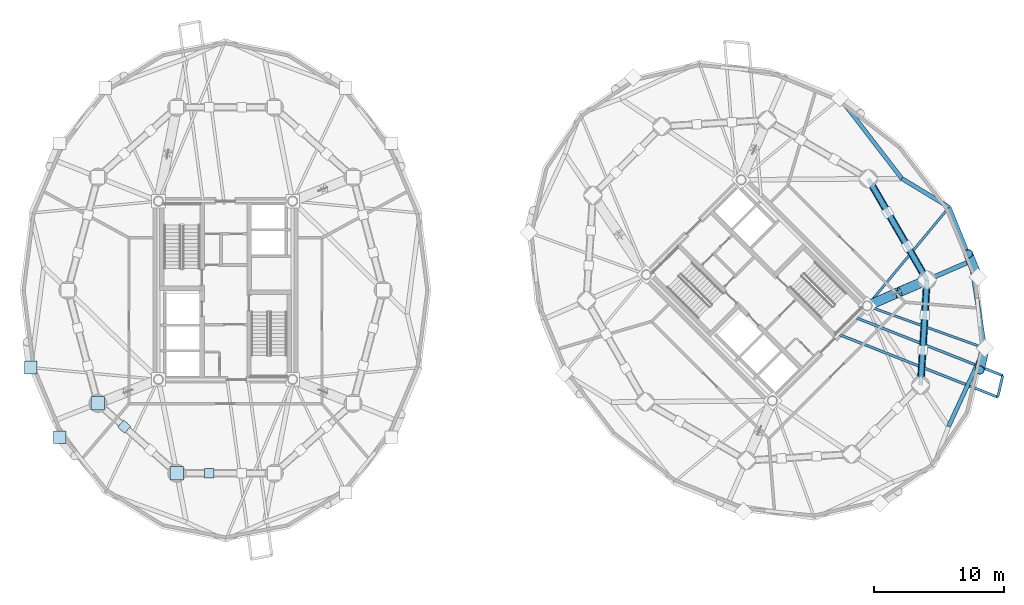
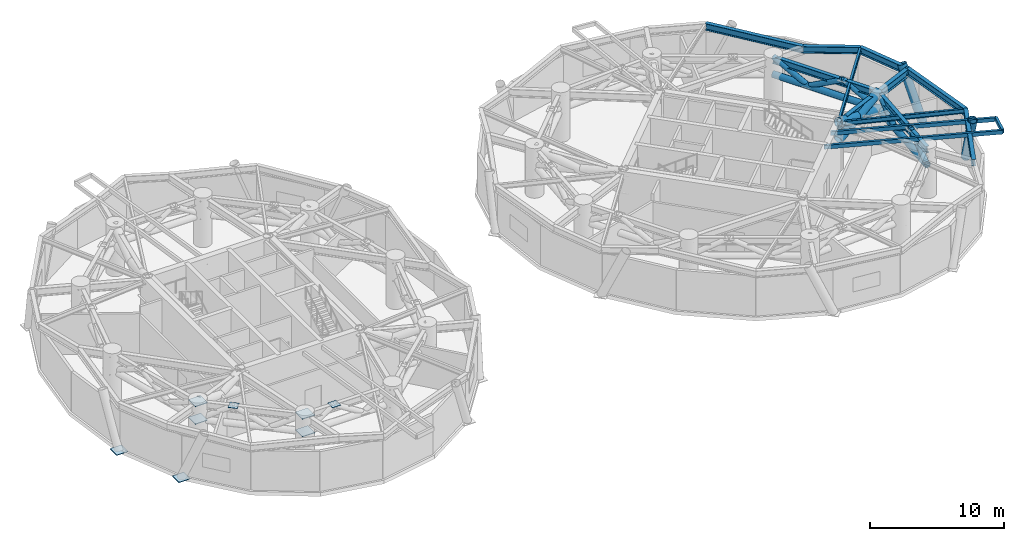
# One storey, part 5 of 16: 13 beams, 13 members, 8 plates.
"""IFC4 building model written with IfcOpenShell, lengths in metres."""

from ifc_helpers import new_model, si_unit, direction, frame, origin, origin_2d, place, context, subcontext, project, spatial, rectangle, hollow_rectangle, hollow_circle, i_section, extrude, source, transform, mapped, material, layer, layer_set, material_profile, profile_set, type_object, element, save


model = new_model("IFC4")

# Units and contexts
model_context = context("Model", 3, precision=1e-05, world=origin(), true_north=direction((0.0, 1.0)))
body_context = subcontext(model_context, "Body", "Model", "MODEL_VIEW")
ifc_project = project(units=[si_unit("LENGTHUNIT", "METRE"), si_unit("AREAUNIT", "SQUARE_METRE"), si_unit("VOLUMEUNIT", "CUBIC_METRE"), si_unit("PLANEANGLEUNIT", "RADIAN"), si_unit("MASSUNIT", "GRAM", prefix="KILO")], contexts=[model_context])

# Site, building, storey
site_placement = place(None, origin())
site = spatial("IfcSite", under=ifc_project, at=site_placement, CompositionType="ELEMENT")
building_placement = place(site_placement, origin())
building = spatial("IfcBuilding", under=site, at=building_placement, Name="Cununo Teusaquillo Station Towers", CompositionType="ELEMENT")
storey_placement = place(building_placement, frame((0.0, 0.0, 65.64990234375)))
storey = spatial("IfcBuildingStorey", under=building, at=storey_placement, Name="L20", CompositionType="ELEMENT", Elevation=65.64990234375)

# Beams
ifc_material_1 = material(Name="Steel EN 10025-2 S355J2", Category="steel")
ifc_material_profile_1 = material_profile(ifc_material_1, hollow_rectangle(XDim=0.199951171875, YDim=0.35009765625, WallThickness=0.013916015625, at=origin_2d()), Name="RHS 350x200x14")
ifc_profile_set_1 = profile_set([ifc_material_profile_1], Name="Steel EN 10025-2 S355J2")
beam_type_1 = type_object("IfcBeamType", Name="BM-BAL-CANT", PredefinedType="BEAM", material=ifc_profile_set_1)
beam_1_placement = place(storey_placement, frame((63.593505859375, 21.188720703125, 4.085205078125), z_axis=(0.930217566196, -0.367008555132, 0.0), x_axis=(0.367008555132, 0.930217566196, 0.0)))
element("IfcBeam", 1, at=beam_1_placement, inside=storey, type_object=beam_type_1, Name="L20 Tower B Balcony Cantilever Bracket 2A", PredefinedType="BEAM", context=body_context, shape_type="SweptSolid", body=[
    extrude(hollow_rectangle(XDim=0.199951171875, YDim=0.35009765625, WallThickness=0.013916015625, at=origin_2d()), origin(), (0.0, 0.0, 1.0), 13.44140625),
])
beam_2_placement = place(storey_placement, frame((64.894287109375, 22.48974609375, 4.085205078125), z_axis=(0.930220364523, -0.367001462432, 0.0), x_axis=(0.367001462432, 0.930220364523, 0.0)))
element("IfcBeam", 2, at=beam_2_placement, inside=storey, type_object=beam_type_1, Name="L20 Tower B Balcony Cantilever Bracket 2B", PredefinedType="BEAM", context=body_context, shape_type="SweptSolid", body=[
    extrude(hollow_rectangle(XDim=0.199951171875, YDim=0.35009765625, WallThickness=0.013916015625, at=origin_2d()), origin(), (0.0, 0.0, 1.0), 12.459716796875),
])
ifc_material_2 = material(Name="Steel ASTM A572 Grade 50", Category="steel")
ifc_material_profile_2 = material_profile(ifc_material_2, i_section(OverallWidth=0.180908203125, OverallDepth=0.4169921875, WebThickness=0.010986328125, FlangeThickness=0.018310546875, FilletRadius=0.012939453125, at=origin_2d()), Name="W16X57")
ifc_profile_set_2 = profile_set([ifc_material_profile_2], Name="Steel ASTM A572 Grade 50")
beam_type_2 = type_object("IfcBeamType", Name="BM-JOIST-1", PredefinedType="JOIST", material=ifc_profile_set_2)
beam_3_placement = place(storey_placement, frame((66.024169921875, 23.29443359375, 4.051513671875), z_axis=(0.941082771055, -0.338176312038, 0.0), x_axis=(0.338176312038, 0.941082771055, 0.0)))
element("IfcBeam", 3, at=beam_3_placement, inside=storey, type_object=beam_type_2, Name="L20 Tower B Radial Spandrel Joist V17", PredefinedType="JOIST", context=body_context, shape_type="SweptSolid", body=[
    extrude(i_section(OverallWidth=0.180908203125, OverallDepth=0.4169921875, WebThickness=0.010986328125, FlangeThickness=0.018310546875, FilletRadius=0.012939453125, at=origin_2d()), origin(), (0.0, 0.0, 1.0), 9.646484375),
])
beam_4_placement = place(storey_placement, frame((66.024169921875, 23.29443359375, 4.051513671875), z_axis=(0.638372238196, 0.769727799615, 0.0), x_axis=(-0.769727799615, 0.638372238196, 0.0)))
element("IfcBeam", 4, at=beam_4_placement, inside=storey, type_object=beam_type_2, Name="L20 Tower B Radial Spandrel Joist V19", PredefinedType="JOIST", context=body_context, shape_type="SweptSolid", body=[
    extrude(i_section(OverallWidth=0.180908203125, OverallDepth=0.4169921875, WebThickness=0.010986328125, FlangeThickness=0.018310546875, FilletRadius=0.012939453125, at=origin_2d()), origin(), (0.0, 0.0, 1.0), 9.895263671875),
])
ifc_material_3 = material(Name="Steel ASTM A572 Grade 50", Category="steel")
ifc_material_profile_3 = material_profile(ifc_material_3, i_section(OverallWidth=0.35498046875, OverallDepth=0.696044921875, WebThickness=0.015380859375, FlangeThickness=0.02490234375, FilletRadius=0.01806640625, at=origin_2d()), Name="W27X146")
ifc_profile_set_3 = profile_set([ifc_material_profile_3], Name="Steel ASTM A572 Grade 50")
beam_type_3 = type_object("IfcBeamType", Name="BM-PLNT-G1", PredefinedType="BEAM", material=ifc_profile_set_3)
beam_5_placement = place(storey_placement, frame((66.024169921875, 23.29443359375, 3.912109375), z_axis=(0.917654733344, 0.397378648609, 0.0), x_axis=(-0.397378648609, 0.917654733344, 0.0)))
element("IfcBeam", 5, at=beam_5_placement, inside=storey, type_object=beam_type_3, Name="L20 Tower B Continuous Overhanging Radial Girder 10", PredefinedType="BEAM", context=body_context, shape_type="SweptSolid", body=[
    extrude(i_section(OverallWidth=0.35498046875, OverallDepth=0.696044921875, WebThickness=0.015380859375, FlangeThickness=0.02490234375, FilletRadius=0.01806640625, at=origin_2d()), origin(), (0.0, 0.0, 1.0), 8.71484375),
])
ifc_material_4 = material(Name="Steel ASTM A572 Grade 50", Category="steel")
ifc_material_profile_4 = material_profile(ifc_material_4, i_section(OverallWidth=0.324951171875, OverallDepth=0.615966796875, WebThickness=0.013916015625, FlangeThickness=0.021484375, FilletRadius=0.01611328125, at=origin_2d()), Name="W24X117")
ifc_profile_set_4 = profile_set([ifc_material_profile_4], Name="Steel ASTM A572 Grade 50")
beam_type_4 = type_object("IfcBeamType", Name="BM-PLNT-G2", PredefinedType="BEAM", material=ifc_profile_set_4)
beam_6_placement = place(storey_placement, frame((70.146240234375, 17.173095703125, 3.9521484375), z_axis=(0.06012979176, 0.998190567048, 0.0), x_axis=(-0.998190567048, 0.06012979176, 0.0)))
element("IfcBeam", 6, at=beam_6_placement, inside=storey, type_object=beam_type_4, Name="L20 Tower B Structural Column Ring Girder 09", PredefinedType="BEAM", context=body_context, shape_type="SweptSolid", body=[
    extrude(i_section(OverallWidth=0.324951171875, OverallDepth=0.615966796875, WebThickness=0.013916015625, FlangeThickness=0.021484375, FilletRadius=0.01611328125, at=origin_2d()), origin(), (0.0, 0.0, 1.0), 8.132568359375),
])
beam_7_placement = place(storey_placement, frame((70.63525390625, 25.291015625, 3.9521484375), z_axis=(-0.501311121078, 0.865267103202, 0.0), x_axis=(-0.865267103202, -0.501311121078, 0.0)))
element("IfcBeam", 7, at=beam_7_placement, inside=storey, type_object=beam_type_4, Name="L20 Tower B Structural Column Ring Girder 10", PredefinedType="BEAM", context=body_context, shape_type="SweptSolid", body=[
    extrude(i_section(OverallWidth=0.324951171875, OverallDepth=0.615966796875, WebThickness=0.013916015625, FlangeThickness=0.021484375, FilletRadius=0.01611328125, at=origin_2d()), origin(), (0.0, 0.0, 1.0), 9.032958984375),
])
beam_8_placement = place(storey_placement, frame((68.694580078125, 33.12890625, 3.9521484375), z_axis=(-0.610100441726, 0.792324082056, 0.0), x_axis=(-0.792324082056, -0.610100441726, 0.0)))
element("IfcBeam", 8, at=beam_8_placement, inside=storey, type_object=beam_type_4, Name="L20 Tower B Spandrel Ring Beam 01", PredefinedType="BEAM", context=body_context, shape_type="SweptSolid", body=[
    extrude(i_section(OverallWidth=0.324951171875, OverallDepth=0.615966796875, WebThickness=0.013916015625, FlangeThickness=0.021484375, FilletRadius=0.01611328125, at=origin_2d()), origin(), (0.0, 0.0, 1.0), 7.84033203125),
])
beam_9_placement = place(storey_placement, frame((72.296875, 13.979736328125, 3.9521484375), z_axis=(0.420535961689, 0.907275870354, 0.0), x_axis=(-0.907275870354, 0.420535961689, 0.0)))
element("IfcBeam", 9, at=beam_9_placement, inside=storey, type_object=beam_type_4, Name="L20 Tower B Spandrel Ring Beam 17", PredefinedType="BEAM", context=body_context, shape_type="SweptSolid", body=[
    extrude(i_section(OverallWidth=0.324951171875, OverallDepth=0.615966796875, WebThickness=0.013916015625, FlangeThickness=0.021484375, FilletRadius=0.01611328125, at=origin_2d()), origin(), (0.0, 0.0, 1.0), 6.671142578125),
])
beam_10_placement = place(storey_placement, frame((75.102294921875, 20.0322265625, 3.9521484375), z_axis=(-0.158671232312, 0.987331474246, 0.0), x_axis=(-0.987331474246, -0.158671232312, 0.0)))
element("IfcBeam", 10, at=beam_10_placement, inside=storey, type_object=beam_type_4, Name="L20 Tower B Spandrel Ring Beam 18", PredefinedType="BEAM", context=body_context, shape_type="SweptSolid", body=[
    extrude(i_section(OverallWidth=0.324951171875, OverallDepth=0.615966796875, WebThickness=0.013916015625, FlangeThickness=0.021484375, FilletRadius=0.01611328125, at=origin_2d()), origin(), (0.0, 0.0, 1.0), 6.8115234375),
])
beam_11_placement = place(storey_placement, frame((74.021484375, 26.757568359375, 3.9521484375), z_axis=(-0.375042266631, 0.927007712072, 0.0), x_axis=(-0.927007712072, -0.375042266631, 0.0)))
element("IfcBeam", 11, at=beam_11_placement, inside=storey, type_object=beam_type_4, Name="L20 Tower B Spandrel Ring Beam 19", PredefinedType="BEAM", context=body_context, shape_type="SweptSolid", body=[
    extrude(i_section(OverallWidth=0.324951171875, OverallDepth=0.615966796875, WebThickness=0.013916015625, FlangeThickness=0.021484375, FilletRadius=0.01611328125, at=origin_2d()), origin(), (0.0, 0.0, 1.0), 4.480712890625),
])
beam_12_placement = place(storey_placement, frame((72.341064453125, 30.9111328125, 3.9521484375), z_axis=(-0.854388492444, 0.519634779416, 0.0), x_axis=(-0.519634779416, -0.854388492444, 0.0)))
element("IfcBeam", 12, at=beam_12_placement, inside=storey, type_object=beam_type_4, Name="L20 Tower B Spandrel Ring Beam 20", PredefinedType="BEAM", context=body_context, shape_type="SweptSolid", body=[
    extrude(i_section(OverallWidth=0.324951171875, OverallDepth=0.615966796875, WebThickness=0.013916015625, FlangeThickness=0.021484375, FilletRadius=0.01611328125, at=origin_2d()), origin(), (0.0, 0.0, 1.0), 4.26806640625),
])
ifc_material_5 = material(Name="Steel EN 10025-2 S355J2", Category="steel")
ifc_material_profile_5 = material_profile(ifc_material_5, hollow_rectangle(XDim=0.199951171875, YDim=0.35009765625, WallThickness=0.013916015625, at=origin_2d()), Name="RHS 350x200x14")
ifc_profile_set_5 = profile_set([ifc_material_profile_5], Name="Steel EN 10025-2 S355J2")
beam_type_5 = type_object("IfcBeamType", Name="BM-STAIR-TRIM", PredefinedType="BEAM", material=ifc_profile_set_5)
beam_13_placement = place(storey_placement, frame((76.096923828125, 16.255615234375, 4.114990234375), z_axis=(0.22725223503, 0.973835931599, 0.0), x_axis=(-0.973835931599, 0.22725223503, 0.0)))
element("IfcBeam", 13, at=beam_13_placement, inside=storey, type_object=beam_type_5, Name="L20 Tower B Balcony Edge Trimmer Beam 2", PredefinedType="BEAM", context=body_context, shape_type="SweptSolid", body=[
    extrude(hollow_rectangle(XDim=0.199951171875, YDim=0.35009765625, WallThickness=0.013916015625, at=origin_2d()), origin(), (0.0, 0.0, 1.0), 1.7060546875),
])

# Members
ifc_material_6 = material(Name="Steel EN 10025-2 S355J2", Category="steel")
ifc_material_profile_6 = material_profile(ifc_material_6, hollow_circle(Radius=0.279541015625, WallThickness=0.02001953125, at=origin_2d()), Name="CHS 559x20")
ifc_profile_set_6 = profile_set([ifc_material_profile_6], Name="Steel EN 10025-2 S355J2")
member_type_1 = type_object("IfcMemberType", Name="MBR-BELT-CH", PredefinedType="CHORD", material=ifc_profile_set_6)
member_1_placement = place(storey_placement, frame((70.146240234375, 17.173095703125, 2.580078125), z_axis=(0.06012979176, 0.998190567048, 0.0), x_axis=(-0.998190567048, 0.06012979176, 0.0)))
element("IfcMember", 14, at=member_1_placement, inside=storey, type_object=member_type_1, Name="L20 Tower B Belt Truss Lower Chord 09", PredefinedType="CHORD", context=body_context, shape_type="SweptSolid", body=[
    extrude(hollow_circle(Radius=0.279541015625, WallThickness=0.02001953125, at=origin_2d()), origin(), (0.0, 0.0, 1.0), 8.132568359375),
])
member_2_placement = place(storey_placement, frame((70.63525390625, 25.291015625, 2.580078125), z_axis=(-0.501311121078, 0.865267103202, 0.0), x_axis=(-0.865267103202, -0.501311121078, 0.0)))
element("IfcMember", 15, at=member_2_placement, inside=storey, type_object=member_type_1, Name="L20 Tower B Belt Truss Lower Chord 10", PredefinedType="CHORD", context=body_context, shape_type="SweptSolid", body=[
    extrude(hollow_circle(Radius=0.279541015625, WallThickness=0.02001953125, at=origin_2d()), origin(), (0.0, 0.0, 1.0), 9.032958984375),
])
ifc_material_7 = material(Name="Steel EN 10025-2 S355J2", Category="steel")
ifc_material_profile_7 = material_profile(ifc_material_7, hollow_circle(Radius=0.228515625, WallThickness=0.01611328125, at=origin_2d()), Name="CHS 457x16")
ifc_profile_set_7 = profile_set([ifc_material_profile_7], Name="Steel EN 10025-2 S355J2")
member_type_2 = type_object("IfcMemberType", Name="MBR-BELT-WB", PredefinedType="BRACE", material=ifc_profile_set_7)
for number, where, z_axis, x_axis, name in (
    (16, (70.146240234375, 17.173095703125, 2.580078125), (0.051806892462, 0.859622149777, 0.508296965864), (-0.998188873423, 0.060157900347, 0.0), "L20 Tower B Belt Truss Warren Brace 09A"),
    (17, (70.309326171875, 19.879150390625, 4.18017578125), (0.051729544923, 0.859625601084, -0.508299006632), (-0.998194277232, 0.060068168794, 0.0), "L20 Tower B Belt Truss Warren Brace 09B"),
):
    element("IfcMember", number, at=place(storey_placement, frame(where, z_axis=z_axis, x_axis=x_axis)), inside=storey, type_object=member_type_2, Name=name, PredefinedType="BRACE", context=body_context, shape_type="SweptSolid", body=[
        extrude(hollow_circle(Radius=0.228515625, WallThickness=0.01611328125, at=origin_2d()), origin(), (0.0, 0.0, 1.0), 3.14794921875),
    ])
member_3_placement = place(storey_placement, frame((70.47216796875, 22.585205078125, 2.580078125), z_axis=(0.051810346524, 0.859601901978, 0.508330854964), x_axis=(-0.998188547466, 0.060163308645, 0.0)))
element("IfcMember", 18, at=member_3_placement, inside=storey, type_object=member_type_2, Name="L20 Tower B Belt Truss Warren Brace 09C", PredefinedType="BRACE", context=body_context, shape_type="SweptSolid", body=[
    extrude(hollow_circle(Radius=0.228515625, WallThickness=0.01611328125, at=origin_2d()), origin(), (0.0, 0.0, 1.0), 3.147705078125),
])
member_4_placement = place(storey_placement, frame((70.63525390625, 25.291015625, 2.580078125), z_axis=(-0.442687580183, 0.764088930246, 0.469250266945), x_axis=(-0.865268964153, -0.501307909048, 0.0)))
element("IfcMember", 19, at=member_4_placement, inside=storey, type_object=member_type_2, Name="L20 Tower B Belt Truss Warren Brace 10A", PredefinedType="BRACE", context=body_context, shape_type="SweptSolid", body=[
    extrude(hollow_circle(Radius=0.228515625, WallThickness=0.01611328125, at=origin_2d()), origin(), (0.0, 0.0, 1.0), 3.409912109375),
])
for number, where, z_axis, x_axis, name in (
    (20, (69.125732421875, 27.896484375, 4.18017578125), (-0.442654228339, 0.764083350146, -0.469290814062), (-0.865283758706, -0.501282372441, 0.0), "L20 Tower B Belt Truss Warren Brace 10B"),
    (21, (67.616455078125, 30.501708984375, 2.580078125), (-0.442711799095, 0.764059131189, 0.469275939069), (-0.86524858622, -0.50134308018, 0.0), "L20 Tower B Belt Truss Warren Brace 10C"),
):
    element("IfcMember", number, at=place(storey_placement, frame(where, z_axis=z_axis, x_axis=x_axis)), inside=storey, type_object=member_type_2, Name=name, PredefinedType="BRACE", context=body_context, shape_type="SweptSolid", body=[
        extrude(hollow_circle(Radius=0.228515625, WallThickness=0.01611328125, at=origin_2d()), origin(), (0.0, 0.0, 1.0), 3.40966796875),
    ])
ifc_material_8 = material(Name="Steel EN 10025-2 S355J2", Category="steel")
ifc_material_profile_8 = material_profile(ifc_material_8, hollow_circle(Radius=0.360107421875, WallThickness=0.028076171875, at=origin_2d()), Name="CHS 720x28")
ifc_profile_set_8 = profile_set([ifc_material_profile_8], Name="Steel EN 10025-2 S355J2")
member_type_3 = type_object("IfcMemberType", Name="MBR-DIAG-Z1", PredefinedType="BRACE", material=ifc_profile_set_8)
member_5_placement = place(storey_placement, frame((75.102294921875, 20.0322265625, -0.139892578125), z_axis=(-0.081385119528, -0.349292575846, 0.933472634188), x_axis=(0.973913029911, -0.226921594761, 0.0)))
element("IfcMember", 22, at=member_5_placement, inside=storey, type_object=member_type_3, Name="L20 Tower B Folded-Zigzag Diagrid Tube C16", PredefinedType="BRACE", context=body_context, shape_type="SweptSolid", body=[
    extrude(hollow_circle(Radius=0.360107421875, WallThickness=0.028076171875, at=origin_2d()), origin(), (0.0, 0.0, 1.0), 4.82080078125),
])
member_6_placement = place(storey_placement, frame((74.556640625, 25.521728515625, -0.139892578125), z_axis=(-0.150680484504, 0.36651471239, 0.918129815), x_axis=(-0.924888817599, -0.380237656053, 0.0)))
element("IfcMember", 23, at=member_6_placement, inside=storey, type_object=member_type_3, Name="L20 Tower B Folded-Zigzag Diagrid Tube C18", PredefinedType="BRACE", context=body_context, shape_type="SweptSolid", body=[
    extrude(hollow_circle(Radius=0.360107421875, WallThickness=0.028076171875, at=origin_2d()), origin(), (0.0, 0.0, 1.0), 4.9013671875),
])
ifc_material_9 = material(Name="Steel EN 10025-2 S355J2", Category="steel")
ifc_material_profile_9 = material_profile(ifc_material_9, hollow_circle(Radius=0.3798828125, WallThickness=0.031982421875, at=origin_2d()), Name="CHS 760x32")
ifc_profile_set_9 = profile_set([ifc_material_profile_9], Name="Steel EN 10025-2 S355J2")
member_type_4 = type_object("IfcMemberType", Name="MBR-OUTR-1", PredefinedType="STRUT", material=ifc_profile_set_9)
member_7_placement = place(storey_placement, frame((66.024169921875, 23.29443359375, 2.580078125), z_axis=(0.874404361921, 0.378613801651, 0.303428082175), x_axis=(-0.397346986387, 0.917668443616, 0.0)))
element("IfcMember", 24, at=member_7_placement, inside=storey, type_object=member_type_4, Name="L20 Tower B Outrigger Continuous Diagonal 4A", PredefinedType="STRUT", context=body_context, shape_type="SweptSolid", body=[
    extrude(hollow_circle(Radius=0.3798828125, WallThickness=0.031982421875, at=origin_2d()), origin(), (0.0, 0.0, 1.0), 5.2734375),
])
for number, where, z_axis, x_axis, name in (
    (25, (66.024169921875, 23.29443359375, 4.18017578125), (0.874392035396, 0.378624789791, -0.30344989206), (-0.397361414605, 0.917662196117, 0.0), "L20 Tower B Outrigger Split Upper Strut 4B1"),
    (26, (68.53955078125, 24.383544921875, 3.307373046875), (0.874392035396, 0.378624789791, -0.30344989206), (-0.397361414605, 0.917662196117, 0.0), "L20 Tower B Outrigger Split Lower Strut 4B2"),
):
    element("IfcMember", number, at=place(storey_placement, frame(where, z_axis=z_axis, x_axis=x_axis)), inside=storey, type_object=member_type_4, Name=name, PredefinedType="STRUT", context=body_context, shape_type="SweptSolid", body=[
        extrude(hollow_circle(Radius=0.3798828125, WallThickness=0.031982421875, at=origin_2d()), origin(), (0.0, 0.0, 1.0), 2.396728515625),
    ])

# Plates
ifc_material_10 = material(Name="Steel ASTM A572 Grade 50", Category="steel")
ifc_layer_1 = layer(ifc_material_10, 0.054931640625)
ifc_layer_set_1 = layer_set([ifc_layer_1], Name="Steel ASTM A572 Grade 50")
plate_type_1 = type_object("IfcPlateType", Name="PLT-NODE-KDN1", PredefinedType="USERDEFINED", material=ifc_layer_set_1)
shared_shape_1 = source(origin(), body_context, "Body", "SweptSolid", [
    extrude(rectangle(XDim=0.97998046875, YDim=0.97998046875, at=origin_2d()), origin(), (0.0, 0.0, 1.0), 0.054931640625),
])
for number, where, z_axis, x_axis, name in (
    (27, (1.472412109375, 18.5390625, -0.16748046875), (0.0, 0.0, 1.0), (1.0, 0.0, 0.0), "L20 Tower A Diagrid Node Assembly C10"),
    (28, (3.716796875, 13.16162109375, -0.16748046875), (0.0, 0.0, 1.0), (1.0, 0.0, 0.0), "L20 Tower A Diagrid Node Assembly C12"),
):
    element("IfcPlate", number, at=place(storey_placement, frame(where, z_axis=z_axis, x_axis=x_axis)), inside=storey, type_object=plate_type_1, Name=name, ObjectType="GUSSET PLATE", PredefinedType="USERDEFINED", context=body_context, shape_type="MappedRepresentation", body=[
        mapped(shared_shape_1, transform((0.0, 0.0, 0.0), x_axis=(1.0, 0.0, 0.0), y_axis=(0.0, 1.0, 0.0), z_axis=(0.0, 0.0, 1.0), scale=1.0)),
    ])
ifc_material_11 = material(Name="Steel ASTM A572 Grade 50", Category="steel")
ifc_layer_2 = layer(ifc_material_11, 0.054931640625)
ifc_layer_set_2 = layer_set([ifc_layer_2], Name="Steel ASTM A572 Grade 50")
plate_type_2 = type_object("IfcPlateType", Name="PLT-NODE-OTN1", PredefinedType="USERDEFINED", material=ifc_layer_set_2)
shared_shape_2 = source(origin(), body_context, "Body", "SweptSolid", [
    extrude(rectangle(XDim=1.050048828125, YDim=1.050048828125, at=origin_2d()), origin(), (0.0, 0.0, 1.0), 0.054931640625),
])
for number, where, z_axis, x_axis, name in (
    (29, (6.652587890625, 15.771484375, 2.552734375), (0.0, 0.0, 1.0), (1.0, 0.0, 0.0), "L20 Tower A Belt Truss Column Gusset 07B"),
    (30, (6.652587890625, 15.771484375, 4.15283203125), (0.0, 0.0, 1.0), (1.0, 0.0, 0.0), "L20 Tower A Belt Truss Column Gusset 07T"),
    (31, (12.738525390625, 10.376708984375, 2.552734375), (0.0, 0.0, 1.0), (1.0, 0.0, 0.0), "L20 Tower A Belt Truss Column Gusset 08B"),
    (32, (12.738525390625, 10.376708984375, 4.15283203125), (0.0, 0.0, 1.0), (1.0, 0.0, 0.0), "L20 Tower A Belt Truss Column Gusset 08T"),
):
    element("IfcPlate", number, at=place(storey_placement, frame(where, z_axis=z_axis, x_axis=x_axis)), inside=storey, type_object=plate_type_2, Name=name, ObjectType="GUSSET PLATE", PredefinedType="USERDEFINED", context=body_context, shape_type="MappedRepresentation", body=[
        mapped(shared_shape_2, transform((0.0, 0.0, 0.0), x_axis=(1.0, 0.0, 0.0), y_axis=(0.0, 1.0, 0.0), z_axis=(0.0, 0.0, 1.0), scale=1.0)),
    ])
ifc_material_12 = material(Name="Steel ASTM A572 Grade 50", Category="steel")
ifc_layer_3 = layer(ifc_material_12, 0.030029296875)
ifc_layer_set_3 = layer_set([ifc_layer_3], Name="Steel ASTM A572 Grade 50")
plate_type_3 = type_object("IfcPlateType", Name="PLT-NODE-XBR", PredefinedType="USERDEFINED", material=ifc_layer_set_3)
shared_shape_3 = source(origin(), body_context, "Body", "SweptSolid", [
    extrude(rectangle(XDim=0.719970703125, YDim=0.719970703125, at=origin_2d()), origin(), (0.0, 0.0, 1.0), 0.030029296875),
])
for number, where, z_axis, x_axis, name in (
    (33, (8.681396484375, 13.97314453125, 4.1650390625), (0.0, 0.0, 1.0), (0.748377190605, -0.66327338299, 0.0), "L20 Tower A Belt Web Node Gusset XBP1 07T1"),
    (34, (15.24609375, 10.376708984375, 4.1650390625), (0.0, 0.0, 1.0), (1.0, 0.0, 0.0), "L20 Tower A Belt Web Node Gusset XBP1 08T1"),
):
    element("IfcPlate", number, at=place(storey_placement, frame(where, z_axis=z_axis, x_axis=x_axis)), inside=storey, type_object=plate_type_3, Name=name, ObjectType="GUSSET PLATE", PredefinedType="USERDEFINED", context=body_context, shape_type="MappedRepresentation", body=[
        mapped(shared_shape_3, transform((0.0, 0.0, 0.0), x_axis=(1.0, 0.0, 0.0), y_axis=(0.0, 1.0, 0.0), z_axis=(0.0, 0.0, 1.0), scale=1.0)),
    ])

save(model, "model.ifc")
